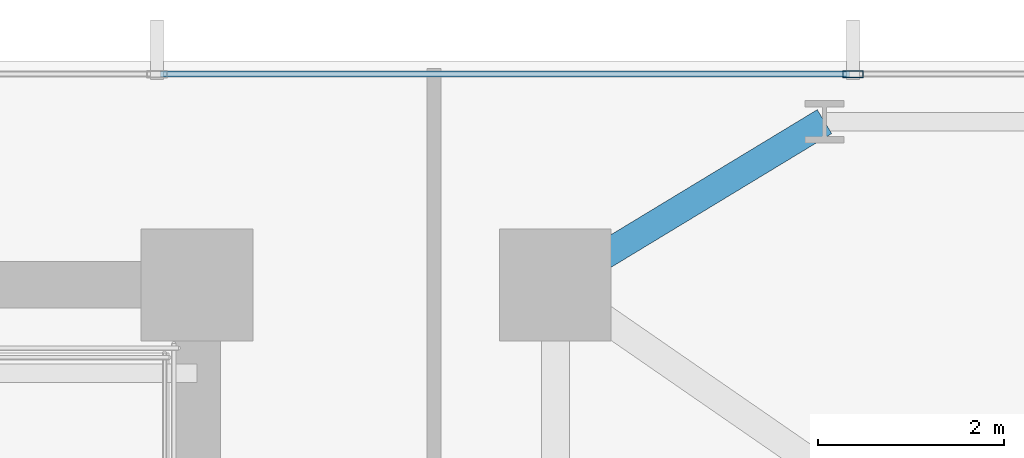
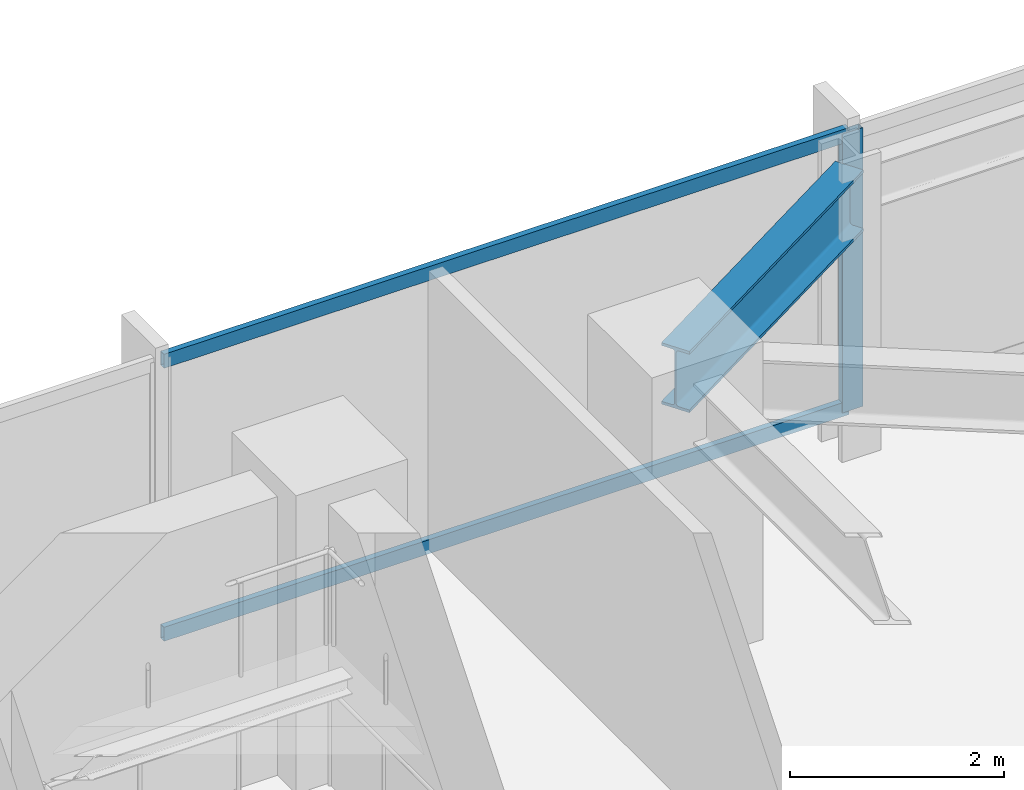
# One storey, part 20 of 33: 3 members, 1 beam, 1 element without a shape of its own.
"""IFC4 building model written with IfcOpenShell, lengths in metres."""

from ifc_helpers import new_model, si_unit, direction, frame, origin, origin_2d, place, context, subcontext, project, spatial, hollow_rectangle, i_section, extrude, material, material_profile, profile_set, type_object, element, aggregate, save


model = new_model("IFC4")

# Units and contexts
model_context = context("Model", 3, precision=1e-05, world=origin(), true_north=direction((0.0, 1.0)))
body_context = subcontext(model_context, "Body", "Model", "MODEL_VIEW")
ifc_project = project(units=[si_unit("LENGTHUNIT", "METRE"), si_unit("AREAUNIT", "SQUARE_METRE"), si_unit("VOLUMEUNIT", "CUBIC_METRE"), si_unit("PLANEANGLEUNIT", "RADIAN"), si_unit("MASSUNIT", "GRAM", prefix="KILO")], contexts=[model_context])

# Site, building, storey
site_placement = place(None, origin())
site = spatial("IfcSite", under=ifc_project, at=site_placement, CompositionType="ELEMENT")
building_placement = place(site_placement, origin())
building = spatial("IfcBuilding", under=site, at=building_placement, Name="Yelkora Congress Tower", CompositionType="ELEMENT")
storey_placement = place(building_placement, frame((0.0, 0.0, 64.39990234375)))
storey = spatial("IfcBuildingStorey", under=building, at=storey_placement, Name="L16", CompositionType="ELEMENT", Elevation=64.39990234375)

# Beam
ifc_material_1 = material(Name="Steel S355J2", Category="steel")
ifc_material_profile_1 = material_profile(ifc_material_1, i_section(OverallWidth=0.300048828125, OverallDepth=0.699951171875, WebThickness=0.01708984375, FlangeThickness=0.031982421875, FilletRadius=0.027099609375, at=origin_2d()), Name="HEB 700")
ifc_profile_set_1 = profile_set([ifc_material_profile_1], Name="Steel S355J2")
beam_type = type_object("IfcBeamType", Name="BM-GIRD-HEB700", PredefinedType="BEAM", material=ifc_profile_set_1)
beam_placement = place(storey_placement, frame((60.487548828125, 47.949951171875, 2.830078125), z_axis=(-0.855193946581, -0.518308126244, 0.0), x_axis=(0.518308126244, -0.855193946581, 0.0)))
element("IfcBeam", 1, at=beam_placement, inside=storey, type_object=beam_type, Name="L16 Primary Frame Girder N08", PredefinedType="BEAM", context=body_context, shape_type="SweptSolid", body=[
    extrude(i_section(OverallWidth=0.300048828125, OverallDepth=0.699951171875, WebThickness=0.01708984375, FlangeThickness=0.031982421875, FilletRadius=0.027099609375, at=origin_2d()), origin(), (0.0, 0.0, 1.0), 3.37646484375),
])

# Curtain wall, members
ifc_material_2 = material(Name="Anodised aluminium and insulated glass", Category="aluminium")
curtain_wall_type = type_object("IfcCurtainWallType", Name="CW-SYS-B1", PredefinedType="NOTDEFINED", material=ifc_material_2)
curtain_wall_placement = place(storey_placement, origin())
curtain_wall = element("IfcCurtainWall", 2, at=curtain_wall_placement, inside=storey, type_object=curtain_wall_type, Name="L16 Unitised Curtain Wall 10", PredefinedType="NOTDEFINED")
ifc_material_3 = material(Name="Anodised aluminium 6063-T6", Category="aluminium")
ifc_material_profile_2 = material_profile(ifc_material_3, hollow_rectangle(XDim=0.074951171875, YDim=0.219970703125, WallThickness=0.0048828125, at=origin_2d()), Name="ALU 75x220x5")
ifc_profile_set_2 = profile_set([ifc_material_profile_2], Name="Anodised aluminium 6063-T6")
member_type_1 = type_object("IfcMemberType", Name="MEM-ML-B1", PredefinedType="MULLION", material=ifc_profile_set_2)
member_1_placement = place(storey_placement, frame((60.794921875, 48.4599609375, 0.0), z_axis=(0.0, 0.0, 1.0), x_axis=(0.0, 1.0, 0.0)))
member_1 = element("IfcMember", 3, at=member_1_placement, type_object=member_type_1, Name="CW-B1 mullion 8", PredefinedType="MULLION", context=body_context, shape_type="SweptSolid", body=[
    extrude(hollow_rectangle(XDim=0.074951171875, YDim=0.219970703125, WallThickness=0.0048828125, at=origin_2d()), origin(), (0.0, 0.0, 1.0), 3.18017578125),
])
ifc_material_profile_3 = material_profile(ifc_material_3, hollow_rectangle(XDim=0.06494140625, YDim=0.159912109375, WallThickness=0.00390625, at=origin_2d()), Name="ALU 65x160x4")
ifc_profile_set_3 = profile_set([ifc_material_profile_3], Name="Anodised aluminium 6063-T6")
member_type_2 = type_object("IfcMemberType", Name="MEM-TR-B1", PredefinedType="USERDEFINED", material=ifc_profile_set_3)
member_2_placement = place(storey_placement, frame((53.367431640625, 48.4599609375, 0.03271484375), z_axis=(1.0, 0.0, 0.0), x_axis=(0.0, 1.0, 0.0)))
member_2 = element("IfcMember", 4, at=member_2_placement, type_object=member_type_2, Name="CW-B1 transom 7.1", ObjectType="TRANSOM", PredefinedType="USERDEFINED", context=body_context, shape_type="SweptSolid", body=[
    extrude(hollow_rectangle(XDim=0.06494140625, YDim=0.159912109375, WallThickness=0.00390625, at=origin_2d()), origin(), (0.0, 0.0, 1.0), 7.39013671875),
])
member_3_placement = place(storey_placement, frame((53.367431640625, 48.4599609375, 3.147705078125), z_axis=(1.0, 0.0, 0.0), x_axis=(0.0, 1.0, 0.0)))
member_3 = element("IfcMember", 5, at=member_3_placement, type_object=member_type_2, Name="CW-B1 transom 7.2", ObjectType="TRANSOM", PredefinedType="USERDEFINED", context=body_context, shape_type="SweptSolid", body=[
    extrude(hollow_rectangle(XDim=0.06494140625, YDim=0.159912109375, WallThickness=0.00390625, at=origin_2d()), origin(), (0.0, 0.0, 1.0), 7.39013671875),
])
aggregate(curtain_wall, [member_1, member_2, member_3])

save(model, "model.ifc")
